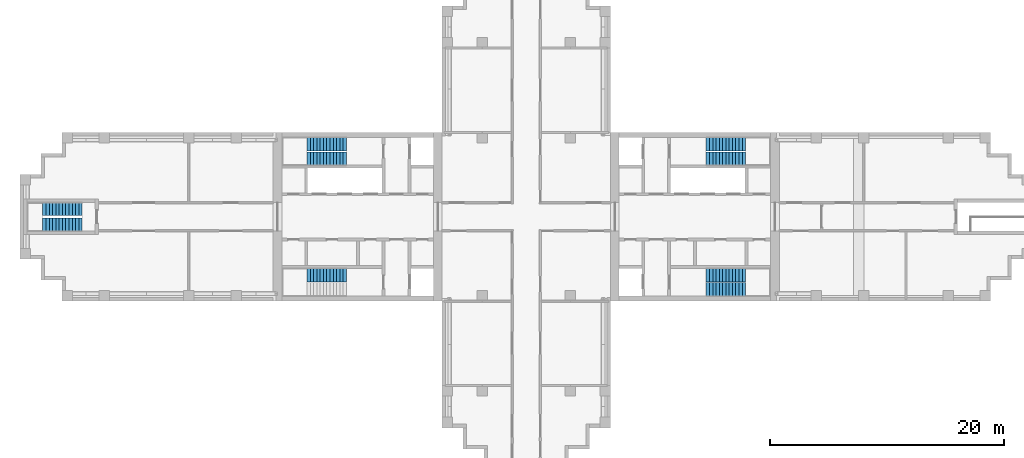
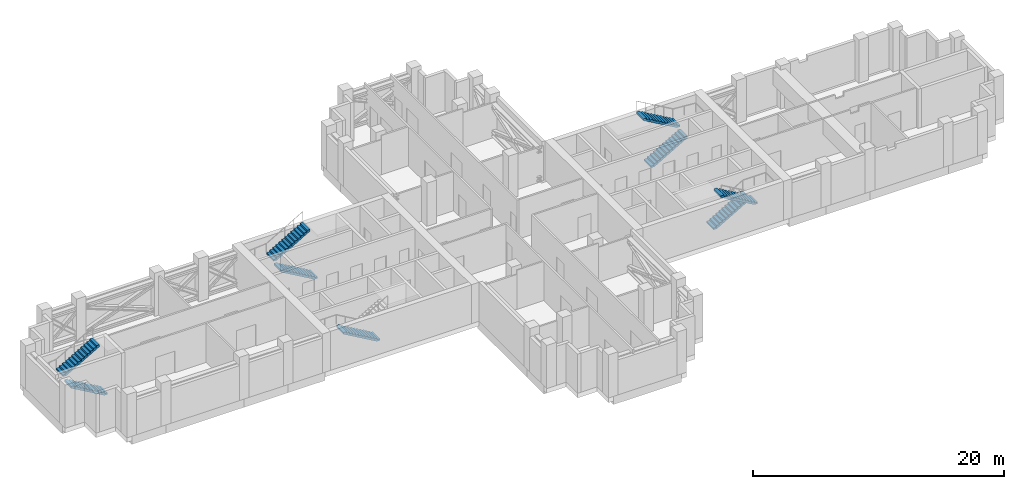
# One storey, part 8 of 9: 9 stair flights, 5 elements without a shape of their own.
"""IFC4 building model written with IfcOpenShell, lengths in metres."""

import ifcopenshell
import ifcopenshell.guid

model = None  # the IFC model being written
_history = None  # IfcOwnerHistory: only IFC2X3 demands one
_inside = {}  # id of a spatial element -> (the spatial element, [elements in it])
_under = {}  # id of a project, library or spatial element -> (it, [spatial elements below it])
_declared = {}  # id of a project -> (the project, [libraries it declares])
_typed = {}  # id of a type object -> (the type object, [elements of that type])
_made_of = {}  # id of a material, layer set ... -> (it, [elements and type objects made of it])


def new_model(schema):
    """Start an empty IFC model of exactly this schema.

    Asked for "IFC4X3", IfcOpenShell would pick the latest addendum, in which some entities
    have other attributes; the version numbers below select the first issue.
    IFC2X3 requires an IfcOwnerHistory on every rooted entity: one is made here for all.
    """
    global model, _history
    if schema == "IFC4X3":
        model = ifcopenshell.file(schema_version=(4, 3, 0, 0))
    else:
        model = ifcopenshell.file(schema=schema)
    _inside.clear()
    _under.clear()
    _declared.clear()
    _typed.clear()
    _made_of.clear()
    _history = None
    if model.schema == "IFC2X3":
        org = make("IfcOrganization", Name="unknown")
        user = make(
            "IfcPersonAndOrganization",
            ThePerson=make("IfcPerson", FamilyName="unknown"),
            TheOrganization=org,
        )
        app = make(
            "IfcApplication",
            ApplicationDeveloper=org,
            Version="unknown",
            ApplicationFullName="unknown",
            ApplicationIdentifier="unknown",
        )
        _history = make(
            "IfcOwnerHistory",
            OwningUser=user,
            OwningApplication=app,
            ChangeAction="ADDED",
            CreationDate=0,
        )
    return model


def make(cls, **values):
    """One entity of the class cls with the attributes given. An attribute that is None is left unset."""
    return model.create_entity(
        cls, **{name: value for name, value in values.items() if value is not None}
    )


def rooted(cls, **values):
    """An entity with a GlobalId (a new one), such as an element, a storey or a relation."""
    return make(cls, GlobalId=ifcopenshell.guid.new(), OwnerHistory=_history, **values)


def si_unit(unit_type, name, prefix=None):
    """IfcSIUnit, for example si_unit("LENGTHUNIT", "METRE", prefix="MILLI")."""
    return make("IfcSIUnit", UnitType=unit_type, Prefix=prefix, Name=name)


def assignment(units):
    """IfcUnitAssignment: the units of a project."""
    return None if units is None else make("IfcUnitAssignment", Units=units)


def point(xyz):
    """IfcCartesianPoint."""
    return None if xyz is None else make("IfcCartesianPoint", Coordinates=xyz)


def direction(xyz):
    """IfcDirection."""
    return None if xyz is None else make("IfcDirection", DirectionRatios=xyz)


def frame(location, z_axis=None, x_axis=None):
    """IfcAxis2Placement3D, a coordinate frame: its origin and axes. An axis left out is left unset."""
    return make(
        "IfcAxis2Placement3D",
        Location=point(location),
        Axis=direction(z_axis),
        RefDirection=direction(x_axis),
    )


def origin():
    """The frame at (0, 0, 0) with its axes left unset."""
    return frame((0.0, 0.0, 0.0))


def place(relative_to, where):
    """IfcLocalPlacement: puts the frame where relative to a parent placement (None: the world)."""
    return make(
        "IfcLocalPlacement", PlacementRelTo=relative_to, RelativePlacement=where
    )


def context(
    kind, dimensions, precision=None, world=None, true_north=None, identifier=None
):
    """IfcGeometricRepresentationContext, for example the 3D "Model" context."""
    return make(
        "IfcGeometricRepresentationContext",
        ContextIdentifier=identifier,
        ContextType=kind,
        CoordinateSpaceDimension=dimensions,
        Precision=precision,
        WorldCoordinateSystem=world,
        TrueNorth=true_north,
    )


def subcontext(parent, identifier, kind, view, scale=None):
    """IfcGeometricRepresentationSubContext, for example "Body" below "Model"."""
    return make(
        "IfcGeometricRepresentationSubContext",
        ContextIdentifier=identifier,
        ContextType=kind,
        ParentContext=parent,
        TargetScale=scale,
        TargetView=view,
    )


def project(units=None, contexts=None):
    """IfcProject with its units and contexts."""
    return rooted(
        "IfcProject",
        Name="project",
        RepresentationContexts=contexts,
        UnitsInContext=assignment(units),
    )


def spatial(cls, under=None, at=None, **own):
    """A site, building, storey or space (cls), placed at a placement, below another one or the project."""
    s = rooted(cls, ObjectPlacement=at, **own)
    if under is not None:
        _under.setdefault(under.id(), (under, []))[1].append(s)
    return s


def polyline(points):
    """IfcPolyline through the points."""
    return make("IfcPolyline", Points=[point(p) for p in points])


def outline(outer, holes=None, kind="AREA"):
    """IfcArbitraryClosedProfileDef: a profile drawn as a closed curve; with holes, ...WithVoids."""
    if holes is None:
        return make("IfcArbitraryClosedProfileDef", ProfileType=kind, OuterCurve=outer)
    return make(
        "IfcArbitraryProfileDefWithVoids",
        ProfileType=kind,
        OuterCurve=outer,
        InnerCurves=holes,
    )


def extrude(swept, where, along, depth):
    """IfcExtrudedAreaSolid: the profile swept, set in the frame where, extruded along a direction by depth."""
    return make(
        "IfcExtrudedAreaSolid",
        SweptArea=swept,
        Position=where,
        ExtrudedDirection=direction(along),
        Depth=depth,
    )


def shape(context_of_items, identifier, shape_type, items):
    """IfcShapeRepresentation: the items that make up one representation, for example the "Body"."""
    return make(
        "IfcShapeRepresentation",
        ContextOfItems=context_of_items,
        RepresentationIdentifier=identifier,
        RepresentationType=shape_type,
        Items=items,
    )


def material(Name=None, Category=None):
    """IfcMaterial."""
    return make("IfcMaterial", Name=Name, Category=Category)


def made_of(thing, what):
    """Note that an element or type object is made of a material, layer set ...; save() writes the relation."""
    if what is not None:
        _made_of.setdefault(what.id(), (what, []))[1].append(thing)
    return thing


def type_object(cls, material=None, **own):
    """A type object (cls), such as IfcWallType, which elements share."""
    return made_of(rooted(cls, **own), material)


def element(
    cls,
    number,
    at=None,
    inside=None,
    cuts=None,
    type_object=None,
    material=None,
    context=None,
    identifier="Body",
    shape_type=None,
    held_by="IfcProductDefinitionShape",
    body=None,
    shapes=None,
    **own,
):
    """One element of the class cls, such as IfcWall. Its Tag is "e" and its number.

    at: its placement. inside: the storey or other place that contains it. cuts: it is an
    opening in that element (IfcRelVoidsElement). A single representation is given by context,
    identifier, shape_type and body (its items); several are given by shapes. held_by: the class
    of the entity that holds the representations. save() writes the other relations.
    """
    e = rooted(cls, Tag="e%d" % number, ObjectPlacement=at, **own)
    if body is not None:
        shapes = [shape(context, identifier, shape_type, body)]
    if shapes is not None:
        e.Representation = make(held_by, Representations=shapes)
    if inside is not None:
        _inside.setdefault(inside.id(), (inside, []))[1].append(e)
    if cuts is not None:
        rooted(
            "IfcRelVoidsElement", RelatingBuildingElement=cuts, RelatedOpeningElement=e
        )
    if type_object is not None:
        _typed.setdefault(type_object.id(), (type_object, []))[1].append(e)
    return made_of(e, material)


def aggregate(whole, parts):
    """IfcRelAggregates: a whole, such as a stair, and the parts it consists of."""
    return rooted("IfcRelAggregates", RelatingObject=whole, RelatedObjects=parts)


def save(model, path):
    """Write the relations noted so far, then the file.

    IfcRelAggregates (storeys below a building ...), IfcRelContainedInSpatialStructure (elements
    in a storey), IfcRelDefinesByType, IfcRelAssociatesMaterial and IfcRelDeclares: one each for
    every whole, place, type object, material and project.
    """
    for whole, parts in _under.values():
        aggregate(whole, parts)
    for where, things in _inside.values():
        rooted(
            "IfcRelContainedInSpatialStructure",
            RelatedElements=things,
            RelatingStructure=where,
        )
    for kind, things in _typed.values():
        rooted("IfcRelDefinesByType", RelatedObjects=things, RelatingType=kind)
    for what, things in _made_of.values():
        rooted("IfcRelAssociatesMaterial", RelatedObjects=things, RelatingMaterial=what)
    for by, libraries in _declared.values():
        rooted("IfcRelDeclares", RelatingContext=by, RelatedDefinitions=libraries)
    model.write(path)


model = new_model("IFC4")

# Units and contexts
model_context = context("Model", 3, precision=1e-05, world=origin(), true_north=direction((0.0, 1.0)))
body_context = subcontext(model_context, "Body", "Model", "MODEL_VIEW")
ifc_project = project(units=[si_unit("LENGTHUNIT", "METRE"), si_unit("AREAUNIT", "SQUARE_METRE"), si_unit("VOLUMEUNIT", "CUBIC_METRE"), si_unit("PLANEANGLEUNIT", "RADIAN"), si_unit("MASSUNIT", "GRAM", prefix="KILO")], contexts=[model_context])

# Site, building, storey
site_placement = place(None, origin())
site = spatial("IfcSite", under=ifc_project, at=site_placement, CompositionType="ELEMENT")
building_placement = place(site_placement, origin())
building = spatial("IfcBuilding", under=site, at=building_placement, Name="Fustian Cross Tower", CompositionType="ELEMENT")
storey_placement = place(building_placement, frame((0.0, 0.0, 162.300048828125)))
storey = spatial("IfcBuildingStorey", under=building, at=storey_placement, Name="L51", CompositionType="ELEMENT", Elevation=162.300048828125)

# Stair, stair flights
ifc_material_1 = material(Name="Concrete C50/60", Category="concrete")
stair_type_1 = type_object("IfcStairType", Name="STAIR 1100 HALF TURN", PredefinedType="HALF_TURN_STAIR", material=ifc_material_1)
stair_1_placement = place(storey_placement, origin())
stair_1 = element("IfcStair", 1, at=stair_1_placement, inside=storey, type_object=stair_type_1, Name="Stair ST9", PredefinedType="HALF_TURN_STAIR")
ifc_material_2 = material(Name="Concrete C50/60", Category="concrete")
stair_flight_type_1 = type_object("IfcStairFlightType", Name="STAIR FLIGHT 1100", PredefinedType="STRAIGHT", material=ifc_material_2)
stair_flight_1_placement = place(storey_placement, frame((-37.89990234375, -0.64990234375, 0.0), z_axis=(0.0, 0.0, 1.0), x_axis=(-1.0, 0.0, 0.0)))
stair_flight_1 = element("IfcStairFlight", 2, at=stair_flight_1_placement, type_object=stair_flight_type_1, Name="ST9 flight 1", NumberOfRisers=13, NumberOfTreads=12, PredefinedType="STRAIGHT", RiserHeight=0.161538462, TreadLength=0.28, context=body_context, shape_type="SweptSolid", body=[
    extrude(outline(polyline([(0.0, 0.0), (0.0, 0.16162109375), (0.280029296875, 0.16162109375), (0.280029296875, 0.322998046875), (0.56005859375, 0.322998046875), (0.56005859375, 0.484619140625), (0.840087890625, 0.484619140625), (0.840087890625, 0.646240234375), (1.1201171875, 0.646240234375), (1.1201171875, 0.8076171875), (1.39990234375, 0.8076171875), (1.39990234375, 0.96923828125), (1.679931640625, 0.96923828125), (1.679931640625, 1.130859375), (1.9599609375, 1.130859375), (1.9599609375, 1.292236328125), (2.239990234375, 1.292236328125), (2.239990234375, 1.453857421875), (2.52001953125, 1.453857421875), (2.52001953125, 1.615478515625), (2.800048828125, 1.615478515625), (2.800048828125, 1.77685546875), (3.080078125, 1.77685546875), (3.080078125, 1.9384765625), (3.360107421875, 1.9384765625), (3.360107421875, 2.10009765625), (3.360107421875, 1.765380859375), (0.300048828125, 0.0), (0.0, 0.0)])), frame((0.0, 0.550048828125, 0.0), z_axis=(0.0, -1.0, 0.0), x_axis=(1.0, 0.0, 0.0)), (0.0, 0.0, 1.0), 1.10009765625),
])
stair_flight_2_placement = place(storey_placement, frame((-41.260009765625, 0.64990234375, 2.099853515625), z_axis=(0.0, 0.0, 1.0), x_axis=(1.0, 0.0, 0.0)))
stair_flight_2 = element("IfcStairFlight", 3, at=stair_flight_2_placement, type_object=stair_flight_type_1, Name="ST9 flight 2", NumberOfRisers=13, NumberOfTreads=12, PredefinedType="STRAIGHT", RiserHeight=0.161538462, TreadLength=0.28, context=body_context, shape_type="SweptSolid", body=[
    extrude(outline(polyline([(0.0, 0.0), (0.0, 0.16162109375), (0.280029296875, 0.16162109375), (0.280029296875, 0.322998046875), (0.56005859375, 0.322998046875), (0.56005859375, 0.484619140625), (0.840087890625, 0.484619140625), (0.840087890625, 0.646240234375), (1.1201171875, 0.646240234375), (1.1201171875, 0.8076171875), (1.39990234375, 0.8076171875), (1.39990234375, 0.96923828125), (1.679931640625, 0.96923828125), (1.679931640625, 1.130859375), (1.9599609375, 1.130859375), (1.9599609375, 1.292236328125), (2.239990234375, 1.292236328125), (2.239990234375, 1.453857421875), (2.52001953125, 1.453857421875), (2.52001953125, 1.615478515625), (2.800048828125, 1.615478515625), (2.800048828125, 1.77685546875), (3.080078125, 1.77685546875), (3.080078125, 1.9384765625), (3.360107421875, 1.9384765625), (3.360107421875, 2.10009765625), (3.360107421875, 1.765380859375), (0.300048828125, 0.0), (0.0, 0.0)])), frame((0.0, 0.550048828125, 0.0), z_axis=(0.0, -1.0, 0.0), x_axis=(1.0, 0.0, 0.0)), (0.0, 0.0, 1.0), 1.10009765625),
])
aggregate(stair_1, [stair_flight_1, stair_flight_2])

ifc_material_3 = material(Name="Concrete C50/60", Category="concrete")
stair_type_2 = type_object("IfcStairType", Name="STAIR 1150 HALF TURN", PredefinedType="HALF_TURN_STAIR", material=ifc_material_3)
stair_2_placement = place(storey_placement, origin())
stair_2 = element("IfcStair", 4, at=stair_2_placement, inside=storey, type_object=stair_type_2, Name="Stair ST1", PredefinedType="HALF_TURN_STAIR")
ifc_material_4 = material(Name="Concrete C50/60", Category="concrete")
stair_flight_type_2 = type_object("IfcStairFlightType", Name="STAIR FLIGHT 1150", PredefinedType="STRAIGHT", material=ifc_material_4)
stair_flight_3_placement = place(storey_placement, frame((15.35009765625, 4.97509765625, 0.0), z_axis=(0.0, 0.0, 1.0), x_axis=(1.0, 0.0, 0.0)))
stair_flight_3 = element("IfcStairFlight", 5, at=stair_flight_3_placement, type_object=stair_flight_type_2, Name="ST1 flight 1", NumberOfRisers=13, NumberOfTreads=12, PredefinedType="STRAIGHT", RiserHeight=0.161538462, TreadLength=0.28, context=body_context, shape_type="SweptSolid", body=[
    extrude(outline(polyline([(0.0, 0.0), (0.0, 0.16162109375), (0.280029296875, 0.16162109375), (0.280029296875, 0.322998046875), (0.56005859375, 0.322998046875), (0.56005859375, 0.484619140625), (0.840087890625, 0.484619140625), (0.840087890625, 0.646240234375), (1.1201171875, 0.646240234375), (1.1201171875, 0.8076171875), (1.39990234375, 0.8076171875), (1.39990234375, 0.96923828125), (1.679931640625, 0.96923828125), (1.679931640625, 1.130859375), (1.9599609375, 1.130859375), (1.9599609375, 1.292236328125), (2.239990234375, 1.292236328125), (2.239990234375, 1.453857421875), (2.52001953125, 1.453857421875), (2.52001953125, 1.615478515625), (2.800048828125, 1.615478515625), (2.800048828125, 1.77685546875), (3.080078125, 1.77685546875), (3.080078125, 1.9384765625), (3.360107421875, 1.9384765625), (3.360107421875, 2.10009765625), (3.360107421875, 1.765380859375), (0.300048828125, 0.0), (0.0, 0.0)])), frame((0.0, 0.574951171875, 0.0), z_axis=(0.0, -1.0, 0.0), x_axis=(1.0, 0.0, 0.0)), (0.0, 0.0, 1.0), 1.14990234375),
])
stair_flight_4_placement = place(storey_placement, frame((18.7099609375, 6.175048828125, 2.099853515625), z_axis=(0.0, 0.0, 1.0), x_axis=(-1.0, 0.0, 0.0)))
stair_flight_4 = element("IfcStairFlight", 6, at=stair_flight_4_placement, type_object=stair_flight_type_2, Name="ST1 flight 2", NumberOfRisers=13, NumberOfTreads=12, PredefinedType="STRAIGHT", RiserHeight=0.161538462, TreadLength=0.28, context=body_context, shape_type="SweptSolid", body=[
    extrude(outline(polyline([(0.0, 0.0), (0.0, 0.16162109375), (0.280029296875, 0.16162109375), (0.280029296875, 0.322998046875), (0.56005859375, 0.322998046875), (0.56005859375, 0.484619140625), (0.840087890625, 0.484619140625), (0.840087890625, 0.646240234375), (1.1201171875, 0.646240234375), (1.1201171875, 0.8076171875), (1.39990234375, 0.8076171875), (1.39990234375, 0.96923828125), (1.679931640625, 0.96923828125), (1.679931640625, 1.130859375), (1.9599609375, 1.130859375), (1.9599609375, 1.292236328125), (2.239990234375, 1.292236328125), (2.239990234375, 1.453857421875), (2.52001953125, 1.453857421875), (2.52001953125, 1.615478515625), (2.800048828125, 1.615478515625), (2.800048828125, 1.77685546875), (3.080078125, 1.77685546875), (3.080078125, 1.9384765625), (3.360107421875, 1.9384765625), (3.360107421875, 2.10009765625), (3.360107421875, 1.765380859375), (0.300048828125, 0.0), (0.0, 0.0)])), frame((0.0, 0.574951171875, 0.0), z_axis=(0.0, -1.0, 0.0), x_axis=(1.0, 0.0, 0.0)), (0.0, 0.0, 1.0), 1.14990234375),
])
aggregate(stair_2, [stair_flight_3, stair_flight_4])

stair_3_placement = place(storey_placement, origin())
stair_3 = element("IfcStair", 7, at=stair_3_placement, inside=storey, type_object=stair_type_2, Name="Stair ST2", PredefinedType="HALF_TURN_STAIR")
stair_flight_5_placement = place(storey_placement, frame((15.35009765625, -4.97509765625, 0.0), z_axis=(0.0, 0.0, 1.0), x_axis=(1.0, 0.0, 0.0)))
stair_flight_5 = element("IfcStairFlight", 8, at=stair_flight_5_placement, type_object=stair_flight_type_2, Name="ST2 flight 1", NumberOfRisers=13, NumberOfTreads=12, PredefinedType="STRAIGHT", RiserHeight=0.161538462, TreadLength=0.28, context=body_context, shape_type="SweptSolid", body=[
    extrude(outline(polyline([(0.0, 0.0), (0.0, 0.16162109375), (0.280029296875, 0.16162109375), (0.280029296875, 0.322998046875), (0.56005859375, 0.322998046875), (0.56005859375, 0.484619140625), (0.840087890625, 0.484619140625), (0.840087890625, 0.646240234375), (1.1201171875, 0.646240234375), (1.1201171875, 0.8076171875), (1.39990234375, 0.8076171875), (1.39990234375, 0.96923828125), (1.679931640625, 0.96923828125), (1.679931640625, 1.130859375), (1.9599609375, 1.130859375), (1.9599609375, 1.292236328125), (2.239990234375, 1.292236328125), (2.239990234375, 1.453857421875), (2.52001953125, 1.453857421875), (2.52001953125, 1.615478515625), (2.800048828125, 1.615478515625), (2.800048828125, 1.77685546875), (3.080078125, 1.77685546875), (3.080078125, 1.9384765625), (3.360107421875, 1.9384765625), (3.360107421875, 2.10009765625), (3.360107421875, 1.765380859375), (0.300048828125, 0.0), (0.0, 0.0)])), frame((0.0, 0.574951171875, 0.0), z_axis=(0.0, -1.0, 0.0), x_axis=(1.0, 0.0, 0.0)), (0.0, 0.0, 1.0), 1.14990234375),
])
stair_flight_6_placement = place(storey_placement, frame((18.7099609375, -6.175048828125, 2.099853515625), z_axis=(0.0, 0.0, 1.0), x_axis=(-1.0, 0.0, 0.0)))
stair_flight_6 = element("IfcStairFlight", 9, at=stair_flight_6_placement, type_object=stair_flight_type_2, Name="ST2 flight 2", NumberOfRisers=13, NumberOfTreads=12, PredefinedType="STRAIGHT", RiserHeight=0.161538462, TreadLength=0.28, context=body_context, shape_type="SweptSolid", body=[
    extrude(outline(polyline([(0.0, 0.0), (0.0, 0.16162109375), (0.280029296875, 0.16162109375), (0.280029296875, 0.322998046875), (0.56005859375, 0.322998046875), (0.56005859375, 0.484619140625), (0.840087890625, 0.484619140625), (0.840087890625, 0.646240234375), (1.1201171875, 0.646240234375), (1.1201171875, 0.8076171875), (1.39990234375, 0.8076171875), (1.39990234375, 0.96923828125), (1.679931640625, 0.96923828125), (1.679931640625, 1.130859375), (1.9599609375, 1.130859375), (1.9599609375, 1.292236328125), (2.239990234375, 1.292236328125), (2.239990234375, 1.453857421875), (2.52001953125, 1.453857421875), (2.52001953125, 1.615478515625), (2.800048828125, 1.615478515625), (2.800048828125, 1.77685546875), (3.080078125, 1.77685546875), (3.080078125, 1.9384765625), (3.360107421875, 1.9384765625), (3.360107421875, 2.10009765625), (3.360107421875, 1.765380859375), (0.300048828125, 0.0), (0.0, 0.0)])), frame((0.0, 0.574951171875, 0.0), z_axis=(0.0, -1.0, 0.0), x_axis=(1.0, 0.0, 0.0)), (0.0, 0.0, 1.0), 1.14990234375),
])
aggregate(stair_3, [stair_flight_5, stair_flight_6])

stair_4_placement = place(storey_placement, origin())
stair_4 = element("IfcStair", 10, at=stair_4_placement, inside=storey, type_object=stair_type_2, Name="Stair ST3", PredefinedType="HALF_TURN_STAIR")
stair_flight_7_placement = place(storey_placement, frame((-15.35009765625, 4.97509765625, 0.0), z_axis=(0.0, 0.0, 1.0), x_axis=(-1.0, 0.0, 0.0)))
stair_flight_7 = element("IfcStairFlight", 11, at=stair_flight_7_placement, type_object=stair_flight_type_2, Name="ST3 flight 1", NumberOfRisers=13, NumberOfTreads=12, PredefinedType="STRAIGHT", RiserHeight=0.161538462, TreadLength=0.28, context=body_context, shape_type="SweptSolid", body=[
    extrude(outline(polyline([(0.0, 0.0), (0.0, 0.16162109375), (0.280029296875, 0.16162109375), (0.280029296875, 0.322998046875), (0.56005859375, 0.322998046875), (0.56005859375, 0.484619140625), (0.840087890625, 0.484619140625), (0.840087890625, 0.646240234375), (1.1201171875, 0.646240234375), (1.1201171875, 0.8076171875), (1.39990234375, 0.8076171875), (1.39990234375, 0.96923828125), (1.679931640625, 0.96923828125), (1.679931640625, 1.130859375), (1.9599609375, 1.130859375), (1.9599609375, 1.292236328125), (2.239990234375, 1.292236328125), (2.239990234375, 1.453857421875), (2.52001953125, 1.453857421875), (2.52001953125, 1.615478515625), (2.800048828125, 1.615478515625), (2.800048828125, 1.77685546875), (3.080078125, 1.77685546875), (3.080078125, 1.9384765625), (3.360107421875, 1.9384765625), (3.360107421875, 2.10009765625), (3.360107421875, 1.765380859375), (0.300048828125, 0.0), (0.0, 0.0)])), frame((0.0, 0.574951171875, 0.0), z_axis=(0.0, -1.0, 0.0), x_axis=(1.0, 0.0, 0.0)), (0.0, 0.0, 1.0), 1.14990234375),
])
stair_flight_8_placement = place(storey_placement, frame((-18.7099609375, 6.175048828125, 2.099853515625), z_axis=(0.0, 0.0, 1.0), x_axis=(1.0, 0.0, 0.0)))
stair_flight_8 = element("IfcStairFlight", 12, at=stair_flight_8_placement, type_object=stair_flight_type_2, Name="ST3 flight 2", NumberOfRisers=13, NumberOfTreads=12, PredefinedType="STRAIGHT", RiserHeight=0.161538462, TreadLength=0.28, context=body_context, shape_type="SweptSolid", body=[
    extrude(outline(polyline([(0.0, 0.0), (0.0, 0.16162109375), (0.280029296875, 0.16162109375), (0.280029296875, 0.322998046875), (0.56005859375, 0.322998046875), (0.56005859375, 0.484619140625), (0.840087890625, 0.484619140625), (0.840087890625, 0.646240234375), (1.1201171875, 0.646240234375), (1.1201171875, 0.8076171875), (1.39990234375, 0.8076171875), (1.39990234375, 0.96923828125), (1.679931640625, 0.96923828125), (1.679931640625, 1.130859375), (1.9599609375, 1.130859375), (1.9599609375, 1.292236328125), (2.239990234375, 1.292236328125), (2.239990234375, 1.453857421875), (2.52001953125, 1.453857421875), (2.52001953125, 1.615478515625), (2.800048828125, 1.615478515625), (2.800048828125, 1.77685546875), (3.080078125, 1.77685546875), (3.080078125, 1.9384765625), (3.360107421875, 1.9384765625), (3.360107421875, 2.10009765625), (3.360107421875, 1.765380859375), (0.300048828125, 0.0), (0.0, 0.0)])), frame((0.0, 0.574951171875, 0.0), z_axis=(0.0, -1.0, 0.0), x_axis=(1.0, 0.0, 0.0)), (0.0, 0.0, 1.0), 1.14990234375),
])
aggregate(stair_4, [stair_flight_7, stair_flight_8])

# Stair, stair flight
stair_5_placement = place(storey_placement, origin())
stair_5 = element("IfcStair", 13, at=stair_5_placement, inside=storey, type_object=stair_type_2, Name="Stair ST4", PredefinedType="HALF_TURN_STAIR")
stair_flight_9_placement = place(storey_placement, frame((-15.35009765625, -4.97509765625, 0.0), z_axis=(0.0, 0.0, 1.0), x_axis=(-1.0, 0.0, 0.0)))
stair_flight_9 = element("IfcStairFlight", 14, at=stair_flight_9_placement, type_object=stair_flight_type_2, Name="ST4 flight 1", NumberOfRisers=13, NumberOfTreads=12, PredefinedType="STRAIGHT", RiserHeight=0.161538462, TreadLength=0.28, context=body_context, shape_type="SweptSolid", body=[
    extrude(outline(polyline([(0.0, 0.0), (0.0, 0.16162109375), (0.280029296875, 0.16162109375), (0.280029296875, 0.322998046875), (0.56005859375, 0.322998046875), (0.56005859375, 0.484619140625), (0.840087890625, 0.484619140625), (0.840087890625, 0.646240234375), (1.1201171875, 0.646240234375), (1.1201171875, 0.8076171875), (1.39990234375, 0.8076171875), (1.39990234375, 0.96923828125), (1.679931640625, 0.96923828125), (1.679931640625, 1.130859375), (1.9599609375, 1.130859375), (1.9599609375, 1.292236328125), (2.239990234375, 1.292236328125), (2.239990234375, 1.453857421875), (2.52001953125, 1.453857421875), (2.52001953125, 1.615478515625), (2.800048828125, 1.615478515625), (2.800048828125, 1.77685546875), (3.080078125, 1.77685546875), (3.080078125, 1.9384765625), (3.360107421875, 1.9384765625), (3.360107421875, 2.10009765625), (3.360107421875, 1.765380859375), (0.300048828125, 0.0), (0.0, 0.0)])), frame((0.0, 0.574951171875, 0.0), z_axis=(0.0, -1.0, 0.0), x_axis=(1.0, 0.0, 0.0)), (0.0, 0.0, 1.0), 1.14990234375),
])
aggregate(stair_5, [stair_flight_9])

save(model, "model.ifc")
